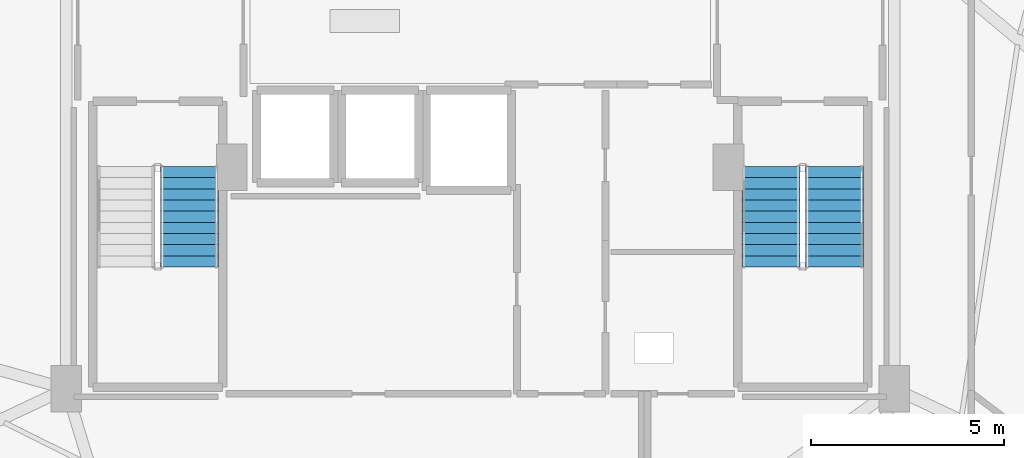
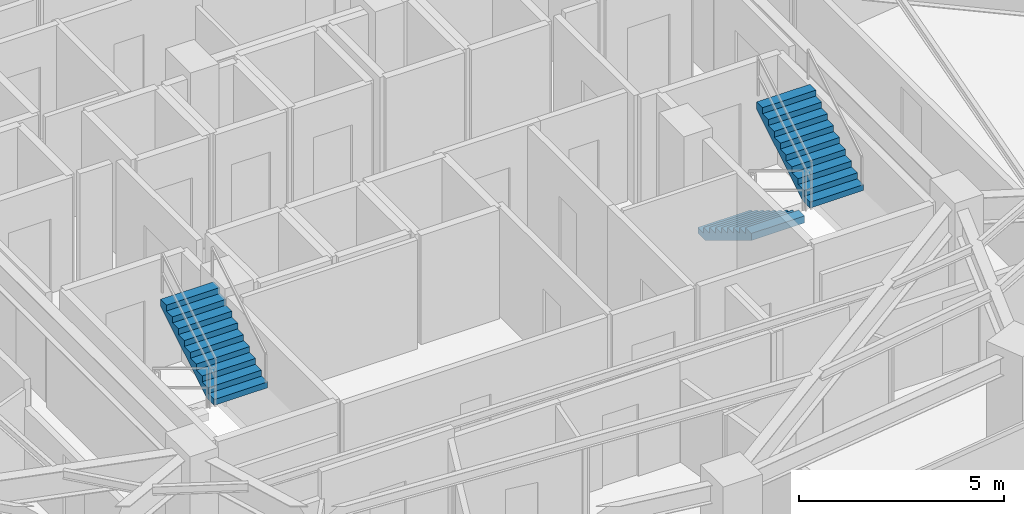
# One storey, part 26 of 30: 3 stair flights, 2 elements without a shape of their own.
"""IFC4 building model written with IfcOpenShell, lengths in metres."""

import ifcopenshell
import ifcopenshell.guid

model = None  # the IFC model being written
_history = None  # IfcOwnerHistory: only IFC2X3 demands one
_inside = {}  # id of a spatial element -> (the spatial element, [elements in it])
_under = {}  # id of a project, library or spatial element -> (it, [spatial elements below it])
_declared = {}  # id of a project -> (the project, [libraries it declares])
_typed = {}  # id of a type object -> (the type object, [elements of that type])
_made_of = {}  # id of a material, layer set ... -> (it, [elements and type objects made of it])


def new_model(schema):
    """Start an empty IFC model of exactly this schema.

    Asked for "IFC4X3", IfcOpenShell would pick the latest addendum, in which some entities
    have other attributes; the version numbers below select the first issue.
    IFC2X3 requires an IfcOwnerHistory on every rooted entity: one is made here for all.
    """
    global model, _history
    if schema == "IFC4X3":
        model = ifcopenshell.file(schema_version=(4, 3, 0, 0))
    else:
        model = ifcopenshell.file(schema=schema)
    _inside.clear()
    _under.clear()
    _declared.clear()
    _typed.clear()
    _made_of.clear()
    _history = None
    if model.schema == "IFC2X3":
        org = make("IfcOrganization", Name="unknown")
        user = make(
            "IfcPersonAndOrganization",
            ThePerson=make("IfcPerson", FamilyName="unknown"),
            TheOrganization=org,
        )
        app = make(
            "IfcApplication",
            ApplicationDeveloper=org,
            Version="unknown",
            ApplicationFullName="unknown",
            ApplicationIdentifier="unknown",
        )
        _history = make(
            "IfcOwnerHistory",
            OwningUser=user,
            OwningApplication=app,
            ChangeAction="ADDED",
            CreationDate=0,
        )
    return model


def make(cls, **values):
    """One entity of the class cls with the attributes given. An attribute that is None is left unset."""
    return model.create_entity(
        cls, **{name: value for name, value in values.items() if value is not None}
    )


def rooted(cls, **values):
    """An entity with a GlobalId (a new one), such as an element, a storey or a relation."""
    return make(cls, GlobalId=ifcopenshell.guid.new(), OwnerHistory=_history, **values)


def si_unit(unit_type, name, prefix=None):
    """IfcSIUnit, for example si_unit("LENGTHUNIT", "METRE", prefix="MILLI")."""
    return make("IfcSIUnit", UnitType=unit_type, Prefix=prefix, Name=name)


def assignment(units):
    """IfcUnitAssignment: the units of a project."""
    return None if units is None else make("IfcUnitAssignment", Units=units)


def point(xyz):
    """IfcCartesianPoint."""
    return None if xyz is None else make("IfcCartesianPoint", Coordinates=xyz)


def direction(xyz):
    """IfcDirection."""
    return None if xyz is None else make("IfcDirection", DirectionRatios=xyz)


def frame(location, z_axis=None, x_axis=None):
    """IfcAxis2Placement3D, a coordinate frame: its origin and axes. An axis left out is left unset."""
    return make(
        "IfcAxis2Placement3D",
        Location=point(location),
        Axis=direction(z_axis),
        RefDirection=direction(x_axis),
    )


def origin():
    """The frame at (0, 0, 0) with its axes left unset."""
    return frame((0.0, 0.0, 0.0))


def place(relative_to, where):
    """IfcLocalPlacement: puts the frame where relative to a parent placement (None: the world)."""
    return make(
        "IfcLocalPlacement", PlacementRelTo=relative_to, RelativePlacement=where
    )


def context(
    kind, dimensions, precision=None, world=None, true_north=None, identifier=None
):
    """IfcGeometricRepresentationContext, for example the 3D "Model" context."""
    return make(
        "IfcGeometricRepresentationContext",
        ContextIdentifier=identifier,
        ContextType=kind,
        CoordinateSpaceDimension=dimensions,
        Precision=precision,
        WorldCoordinateSystem=world,
        TrueNorth=true_north,
    )


def subcontext(parent, identifier, kind, view, scale=None):
    """IfcGeometricRepresentationSubContext, for example "Body" below "Model"."""
    return make(
        "IfcGeometricRepresentationSubContext",
        ContextIdentifier=identifier,
        ContextType=kind,
        ParentContext=parent,
        TargetScale=scale,
        TargetView=view,
    )


def project(units=None, contexts=None):
    """IfcProject with its units and contexts."""
    return rooted(
        "IfcProject",
        Name="project",
        RepresentationContexts=contexts,
        UnitsInContext=assignment(units),
    )


def spatial(cls, under=None, at=None, **own):
    """A site, building, storey or space (cls), placed at a placement, below another one or the project."""
    s = rooted(cls, ObjectPlacement=at, **own)
    if under is not None:
        _under.setdefault(under.id(), (under, []))[1].append(s)
    return s


def polyline(points):
    """IfcPolyline through the points."""
    return make("IfcPolyline", Points=[point(p) for p in points])


def outline(outer, holes=None, kind="AREA"):
    """IfcArbitraryClosedProfileDef: a profile drawn as a closed curve; with holes, ...WithVoids."""
    if holes is None:
        return make("IfcArbitraryClosedProfileDef", ProfileType=kind, OuterCurve=outer)
    return make(
        "IfcArbitraryProfileDefWithVoids",
        ProfileType=kind,
        OuterCurve=outer,
        InnerCurves=holes,
    )


def extrude(swept, where, along, depth):
    """IfcExtrudedAreaSolid: the profile swept, set in the frame where, extruded along a direction by depth."""
    return make(
        "IfcExtrudedAreaSolid",
        SweptArea=swept,
        Position=where,
        ExtrudedDirection=direction(along),
        Depth=depth,
    )


def shape(context_of_items, identifier, shape_type, items):
    """IfcShapeRepresentation: the items that make up one representation, for example the "Body"."""
    return make(
        "IfcShapeRepresentation",
        ContextOfItems=context_of_items,
        RepresentationIdentifier=identifier,
        RepresentationType=shape_type,
        Items=items,
    )


def material(Name=None, Category=None):
    """IfcMaterial."""
    return make("IfcMaterial", Name=Name, Category=Category)


def made_of(thing, what):
    """Note that an element or type object is made of a material, layer set ...; save() writes the relation."""
    if what is not None:
        _made_of.setdefault(what.id(), (what, []))[1].append(thing)
    return thing


def type_object(cls, material=None, **own):
    """A type object (cls), such as IfcWallType, which elements share."""
    return made_of(rooted(cls, **own), material)


def element(
    cls,
    number,
    at=None,
    inside=None,
    cuts=None,
    type_object=None,
    material=None,
    context=None,
    identifier="Body",
    shape_type=None,
    held_by="IfcProductDefinitionShape",
    body=None,
    shapes=None,
    **own,
):
    """One element of the class cls, such as IfcWall. Its Tag is "e" and its number.

    at: its placement. inside: the storey or other place that contains it. cuts: it is an
    opening in that element (IfcRelVoidsElement). A single representation is given by context,
    identifier, shape_type and body (its items); several are given by shapes. held_by: the class
    of the entity that holds the representations. save() writes the other relations.
    """
    e = rooted(cls, Tag="e%d" % number, ObjectPlacement=at, **own)
    if body is not None:
        shapes = [shape(context, identifier, shape_type, body)]
    if shapes is not None:
        e.Representation = make(held_by, Representations=shapes)
    if inside is not None:
        _inside.setdefault(inside.id(), (inside, []))[1].append(e)
    if cuts is not None:
        rooted(
            "IfcRelVoidsElement", RelatingBuildingElement=cuts, RelatedOpeningElement=e
        )
    if type_object is not None:
        _typed.setdefault(type_object.id(), (type_object, []))[1].append(e)
    return made_of(e, material)


def aggregate(whole, parts):
    """IfcRelAggregates: a whole, such as a stair, and the parts it consists of."""
    return rooted("IfcRelAggregates", RelatingObject=whole, RelatedObjects=parts)


def save(model, path):
    """Write the relations noted so far, then the file.

    IfcRelAggregates (storeys below a building ...), IfcRelContainedInSpatialStructure (elements
    in a storey), IfcRelDefinesByType, IfcRelAssociatesMaterial and IfcRelDeclares: one each for
    every whole, place, type object, material and project.
    """
    for whole, parts in _under.values():
        aggregate(whole, parts)
    for where, things in _inside.values():
        rooted(
            "IfcRelContainedInSpatialStructure",
            RelatedElements=things,
            RelatingStructure=where,
        )
    for kind, things in _typed.values():
        rooted("IfcRelDefinesByType", RelatedObjects=things, RelatingType=kind)
    for what, things in _made_of.values():
        rooted("IfcRelAssociatesMaterial", RelatedObjects=things, RelatingMaterial=what)
    for by, libraries in _declared.values():
        rooted("IfcRelDeclares", RelatingContext=by, RelatedDefinitions=libraries)
    model.write(path)


model = new_model("IFC4")

# Units and contexts
model_context = context("Model", 3, precision=1e-05, world=origin(), true_north=direction((0.0, 1.0)))
body_context = subcontext(model_context, "Body", "Model", "MODEL_VIEW")
ifc_project = project(units=[si_unit("LENGTHUNIT", "METRE"), si_unit("AREAUNIT", "SQUARE_METRE"), si_unit("VOLUMEUNIT", "CUBIC_METRE"), si_unit("PLANEANGLEUNIT", "RADIAN"), si_unit("MASSUNIT", "GRAM", prefix="KILO")], contexts=[model_context])

# Site, building, storey
site_placement = place(None, origin())
site = spatial("IfcSite", under=ifc_project, at=site_placement, CompositionType="ELEMENT")
building_placement = place(site_placement, origin())
building = spatial("IfcBuilding", under=site, at=building_placement, Name="Vorneva Point Tower", CompositionType="ELEMENT")
storey_placement = place(building_placement, frame((0.0, 0.0, 96.300048828125)))
storey = spatial("IfcBuildingStorey", under=building, at=storey_placement, Name="L25", CompositionType="ELEMENT", Elevation=96.300048828125)

# Stair, stair flight
ifc_material = material(Name="Concrete B50 (C40/50)", Category="concrete")
stair_type = type_object("IfcStairType", Name="ST-DOG-1500", PredefinedType="HALF_TURN_STAIR", material=ifc_material)
stair_1_placement = place(storey_placement, origin())
stair_1 = element("IfcStair", 1, at=stair_1_placement, inside=storey, type_object=stair_type, Name="L25 ST1", PredefinedType="HALF_TURN_STAIR")
stair_flight_type = type_object("IfcStairFlightType", Name="STF-1500", PredefinedType="STRAIGHT", material=ifc_material)
stair_flight_1_placement = place(storey_placement, frame((30.449951171875, 19.610107421875, 1.75), z_axis=(0.0, 0.0, 1.0), x_axis=(0.0, 1.0, 0.0)))
stair_flight_1 = element("IfcStairFlight", 2, at=stair_flight_1_placement, type_object=stair_flight_type, Name="ST1 flight 2", NumberOfRisers=10, NumberOfTreads=9, PredefinedType="STRAIGHT", RiserHeight=0.175, TreadLength=0.29, context=body_context, shape_type="SweptSolid", body=[
    extrude(outline(polyline([(0.0, 0.0), (0.0, 0.175048828125), (0.2900390625, 0.175048828125), (0.2900390625, 0.35009765625), (0.580078125, 0.35009765625), (0.580078125, 0.52490234375), (0.8701171875, 0.52490234375), (0.8701171875, 0.699951171875), (1.159912109375, 0.699951171875), (1.159912109375, 0.875), (1.449951171875, 0.875), (1.449951171875, 1.050048828125), (1.739990234375, 1.050048828125), (1.739990234375, 1.22509765625), (2.030029296875, 1.22509765625), (2.030029296875, 1.39990234375), (2.320068359375, 1.39990234375), (2.320068359375, 1.574951171875), (2.610107421875, 1.574951171875), (2.610107421875, 1.75), (2.610107421875, 1.36474609375), (0.34814453125, 0.0), (0.0, 0.0)])), frame((0.0, 0.75, 0.0), z_axis=(0.0, -1.0, 0.0), x_axis=(1.0, 0.0, 0.0)), (0.0, 0.0, 1.0), 1.5),
])
aggregate(stair_1, [stair_flight_1])

# Stair, stair flights
stair_2_placement = place(storey_placement, origin())
stair_2 = element("IfcStair", 3, at=stair_2_placement, inside=storey, type_object=stair_type, Name="L25 ST2", PredefinedType="HALF_TURN_STAIR")
stair_flight_2_placement = place(storey_placement, frame((45.550048828125, 22.219970703125, 0.0), z_axis=(0.0, 0.0, 1.0), x_axis=(0.0, -1.0, 0.0)))
stair_flight_2 = element("IfcStairFlight", 4, at=stair_flight_2_placement, type_object=stair_flight_type, Name="ST2 flight 1", NumberOfRisers=10, NumberOfTreads=9, PredefinedType="STRAIGHT", RiserHeight=0.175, TreadLength=0.29, context=body_context, shape_type="SweptSolid", body=[
    extrude(outline(polyline([(0.0, 0.0), (0.0, 0.175048828125), (0.2900390625, 0.175048828125), (0.2900390625, 0.35009765625), (0.580078125, 0.35009765625), (0.580078125, 0.52490234375), (0.8701171875, 0.52490234375), (0.8701171875, 0.699951171875), (1.159912109375, 0.699951171875), (1.159912109375, 0.875), (1.449951171875, 0.875), (1.449951171875, 1.050048828125), (1.739990234375, 1.050048828125), (1.739990234375, 1.22509765625), (2.030029296875, 1.22509765625), (2.030029296875, 1.39990234375), (2.320068359375, 1.39990234375), (2.320068359375, 1.574951171875), (2.610107421875, 1.574951171875), (2.610107421875, 1.75), (2.610107421875, 1.36474609375), (0.34814453125, 0.0), (0.0, 0.0)])), frame((0.0, 0.75, 0.0), z_axis=(0.0, -1.0, 0.0), x_axis=(1.0, 0.0, 0.0)), (0.0, 0.0, 1.0), 1.5),
])
stair_flight_3_placement = place(storey_placement, frame((47.199951171875, 19.610107421875, 1.75), z_axis=(0.0, 0.0, 1.0), x_axis=(0.0, 1.0, 0.0)))
stair_flight_3 = element("IfcStairFlight", 5, at=stair_flight_3_placement, type_object=stair_flight_type, Name="ST2 flight 2", NumberOfRisers=10, NumberOfTreads=9, PredefinedType="STRAIGHT", RiserHeight=0.175, TreadLength=0.29, context=body_context, shape_type="SweptSolid", body=[
    extrude(outline(polyline([(0.0, 0.0), (0.0, 0.175048828125), (0.2900390625, 0.175048828125), (0.2900390625, 0.35009765625), (0.580078125, 0.35009765625), (0.580078125, 0.52490234375), (0.8701171875, 0.52490234375), (0.8701171875, 0.699951171875), (1.159912109375, 0.699951171875), (1.159912109375, 0.875), (1.449951171875, 0.875), (1.449951171875, 1.050048828125), (1.739990234375, 1.050048828125), (1.739990234375, 1.22509765625), (2.030029296875, 1.22509765625), (2.030029296875, 1.39990234375), (2.320068359375, 1.39990234375), (2.320068359375, 1.574951171875), (2.610107421875, 1.574951171875), (2.610107421875, 1.75), (2.610107421875, 1.36474609375), (0.34814453125, 0.0), (0.0, 0.0)])), frame((0.0, 0.75, 0.0), z_axis=(0.0, -1.0, 0.0), x_axis=(1.0, 0.0, 0.0)), (0.0, 0.0, 1.0), 1.5),
])
aggregate(stair_2, [stair_flight_2, stair_flight_3])

save(model, "model.ifc")
